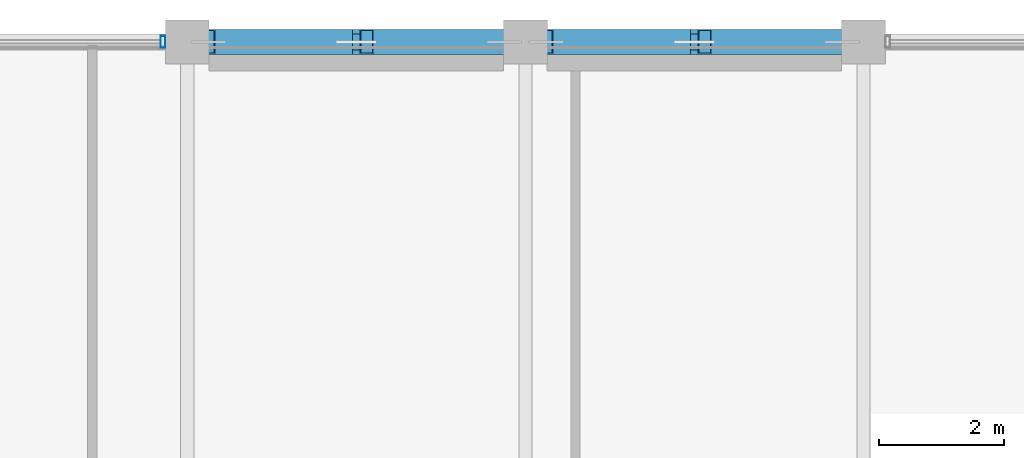
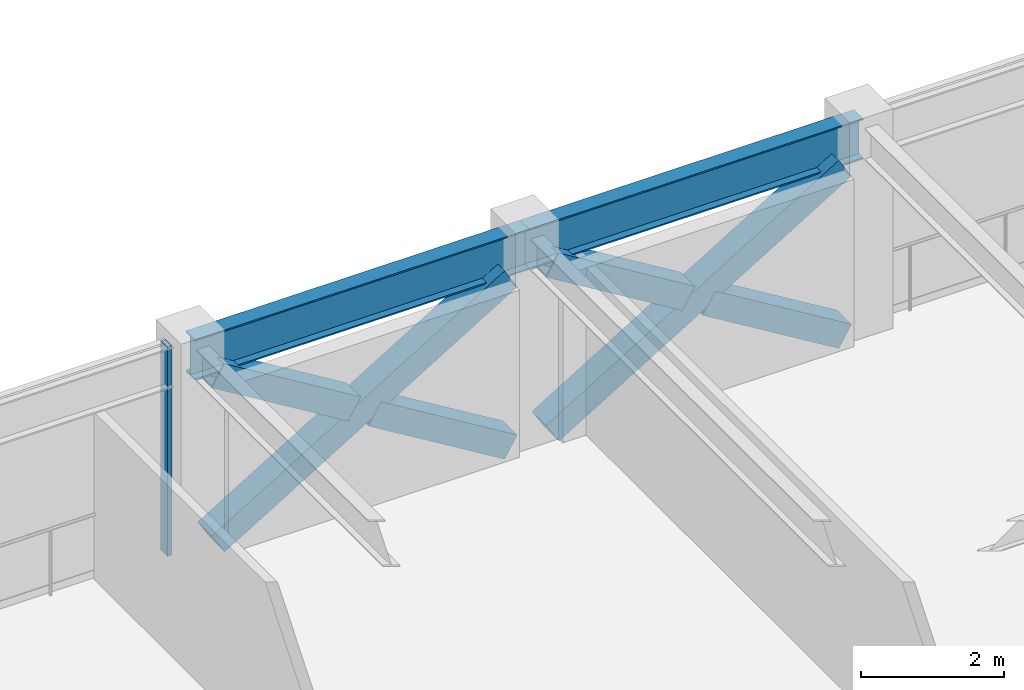
# One storey, part 19 of 34: 7 members, 2 beams, 1 element without a shape of its own.
"""IFC4 building model written with IfcOpenShell, lengths in metres."""

from ifc_helpers import new_model, si_unit, direction, frame, origin, origin_2d, place, context, subcontext, project, spatial, hollow_rectangle, i_section, extrude, material, layer, layer_set, material_profile, profile_set, type_object, element, aggregate, save


model = new_model("IFC4")

# Units and contexts
model_context = context("Model", 3, precision=1e-05, world=origin(), true_north=direction((0.0, 1.0)))
body_context = subcontext(model_context, "Body", "Model", "MODEL_VIEW")
ifc_project = project(units=[si_unit("LENGTHUNIT", "METRE"), si_unit("AREAUNIT", "SQUARE_METRE"), si_unit("VOLUMEUNIT", "CUBIC_METRE"), si_unit("PLANEANGLEUNIT", "RADIAN"), si_unit("MASSUNIT", "GRAM", prefix="KILO")], contexts=[model_context])

# Site, building, storey
site_placement = place(None, origin())
site = spatial("IfcSite", under=ifc_project, at=site_placement, CompositionType="ELEMENT")
building_placement = place(site_placement, origin())
building = spatial("IfcBuilding", under=site, at=building_placement, Name="Surkhivell Harbour Commons", CompositionType="ELEMENT")
storey_placement = place(building_placement, frame((0.0, 0.0, 258.75)))
storey = spatial("IfcBuildingStorey", under=building, at=storey_placement, Name="L67", CompositionType="ELEMENT", Elevation=258.75)

# Beams
ifc_material_1 = material(Name="Steel S355", Category="steel")
ifc_material_profile_1 = material_profile(ifc_material_1, i_section(OverallWidth=0.256103515625, OverallDepth=0.693115234375, WebThickness=0.014404296875, FlangeThickness=0.023681640625, at=origin_2d()), Name="UB686x254x170")
ifc_profile_set_1 = profile_set([ifc_material_profile_1], Name="Steel S355")
beam_type = type_object("IfcBeamType", Name="BM-SPN-686", PredefinedType="SPANDREL", material=ifc_profile_set_1)
for number, where, z_axis, x_axis, name in (
    (1, (-5.39990234375, 25.89990234375, 3.223388671875), (1.0, 0.0, 0.0), (0.0, 1.0, 0.0), "L67 Tube Spandrel (-5.4,25.9)"),
    (2, (0.0, 25.89990234375, 3.223388671875), (1.0, 0.0, 0.0), (0.0, 1.0, 0.0), "L67 Tube Spandrel (-0.0,25.9)"),
):
    element("IfcBeam", number, at=place(storey_placement, frame(where, z_axis=z_axis, x_axis=x_axis)), inside=storey, type_object=beam_type, Name=name, PredefinedType="SPANDREL", context=body_context, shape_type="SweptSolid", body=[
        extrude(i_section(OverallWidth=0.256103515625, OverallDepth=0.693115234375, WebThickness=0.014404296875, FlangeThickness=0.023681640625, at=origin_2d()), origin(), (0.0, 0.0, 1.0), 5.39990234375),
    ])

# Curtain wall, member
ifc_material_2 = material(Name="Anodised pale-metal aluminium and insulated glazing", Category="aluminium")
ifc_layer = layer(ifc_material_2, 0.175048828125)
ifc_layer_set = layer_set([ifc_layer], Name="Anodised pale-metal aluminium and insulated glazing")
curtain_wall_type = type_object("IfcCurtainWallType", Name="CW-SYS-Z4", PredefinedType="NOTDEFINED", material=ifc_layer_set)
curtain_wall_placement = place(storey_placement, origin())
curtain_wall = element("IfcCurtainWall", 3, at=curtain_wall_placement, inside=storey, type_object=curtain_wall_type, Name="L67 Curtain Wall CW-L67-E07S2", PredefinedType="NOTDEFINED")
ifc_material_3 = material(Name="Anodised pale-metal aluminium alloy 6063-T6", Category="aluminium")
ifc_material_profile_2 = material_profile(ifc_material_3, hollow_rectangle(XDim=0.074951171875, YDim=0.18994140625, WallThickness=0.00390625, at=origin_2d()), Name="ALU-MULL-75x190")
ifc_profile_set_2 = profile_set([ifc_material_profile_2], Name="Anodised pale-metal aluminium alloy 6063-T6")
member_type_1 = type_object("IfcMemberType", Name="CWM-190", PredefinedType="MULLION", material=ifc_profile_set_2)
member_1_placement = place(storey_placement, frame((-5.78955078125, 25.89990234375, 0.0), z_axis=(0.0, 0.0, 1.0), x_axis=(-1.0, 0.0, 0.0)))
member_1 = element("IfcMember", 4, at=member_1_placement, type_object=member_type_1, Name="CW-Z4 mullion 1", PredefinedType="MULLION", context=body_context, shape_type="SweptSolid", body=[
    extrude(hollow_rectangle(XDim=0.074951171875, YDim=0.18994140625, WallThickness=0.00390625, at=origin_2d()), origin(), (0.0, 0.0, 1.0), 3.570068359375),
])
aggregate(curtain_wall, [member_1])

# Members
ifc_material_4 = material(Name="Steel S460", Category="steel")
ifc_material_profile_3 = material_profile(ifc_material_4, hollow_rectangle(XDim=0.39990234375, YDim=0.39990234375, WallThickness=0.02001953125, at=origin_2d()), Name="SHS400x400x20")
ifc_profile_set_3 = profile_set([ifc_material_profile_3], Name="Steel S460")
member_type_2 = type_object("IfcMemberType", Name="MEM-BRC-SHS400", PredefinedType="BRACE", material=ifc_profile_set_3)
member_2_placement = place(storey_placement, frame((-5.06494140625, 25.89990234375, 0.008056640625), z_axis=(0.854685454322, 0.0, 0.519146197299), x_axis=(0.0, 1.0, 0.0)))
element("IfcMember", 5, at=member_2_placement, inside=storey, type_object=member_type_2, Name="L67 Perimeter Mega-Brace MB- 01", PredefinedType="BRACE", context=body_context, shape_type="SweptSolid", body=[
    extrude(hollow_rectangle(XDim=0.39990234375, YDim=0.39990234375, WallThickness=0.02001953125, at=origin_2d()), origin(), (0.0, 0.0, 1.0), 5.5341796875),
])
member_3_placement = place(storey_placement, frame((-0.3349609375, 25.89990234375, 0.008056640625), z_axis=(-0.854719912157, 0.0, 0.519089464122), x_axis=(0.0, -1.0, 0.0)))
element("IfcMember", 6, at=member_3_placement, inside=storey, type_object=member_type_2, Name="L67 Perimeter Mega-Brace MB- 02", PredefinedType="BRACE", context=body_context, shape_type="SweptSolid", body=[
    extrude(hollow_rectangle(XDim=0.39990234375, YDim=0.39990234375, WallThickness=0.02001953125, at=origin_2d()), origin(), (0.0, 0.0, 1.0), 2.574951171875),
])
member_4_placement = place(storey_placement, frame((-2.864013671875, 25.89990234375, 1.544189453125), z_axis=(-0.854677846108, 0.0, 0.519158722716), x_axis=(0.0, -1.0, 0.0)))
element("IfcMember", 7, at=member_4_placement, inside=storey, type_object=member_type_2, Name="L67 Perimeter Mega-Brace MB- 03", PredefinedType="BRACE", context=body_context, shape_type="SweptSolid", body=[
    extrude(hollow_rectangle(XDim=0.39990234375, YDim=0.39990234375, WallThickness=0.02001953125, at=origin_2d()), origin(), (0.0, 0.0, 1.0), 2.5751953125),
])
member_5_placement = place(storey_placement, frame((0.3349609375, 25.89990234375, 0.008056640625), z_axis=(0.854685454322, 0.0, 0.519146197299), x_axis=(0.0, 1.0, 0.0)))
element("IfcMember", 8, at=member_5_placement, inside=storey, type_object=member_type_2, Name="L67 Perimeter Mega-Brace MB- 04", PredefinedType="BRACE", context=body_context, shape_type="SweptSolid", body=[
    extrude(hollow_rectangle(XDim=0.39990234375, YDim=0.39990234375, WallThickness=0.02001953125, at=origin_2d()), origin(), (0.0, 0.0, 1.0), 5.5341796875),
])
member_6_placement = place(storey_placement, frame((5.06494140625, 25.89990234375, 0.008056640625), z_axis=(-0.854719912157, 0.0, 0.519089464122), x_axis=(0.0, -1.0, 0.0)))
element("IfcMember", 9, at=member_6_placement, inside=storey, type_object=member_type_2, Name="L67 Perimeter Mega-Brace MB- 05", PredefinedType="BRACE", context=body_context, shape_type="SweptSolid", body=[
    extrude(hollow_rectangle(XDim=0.39990234375, YDim=0.39990234375, WallThickness=0.02001953125, at=origin_2d()), origin(), (0.0, 0.0, 1.0), 2.574951171875),
])
member_7_placement = place(storey_placement, frame((2.535888671875, 25.89990234375, 1.544189453125), z_axis=(-0.854677846108, 0.0, 0.519158722716), x_axis=(0.0, -1.0, 0.0)))
element("IfcMember", 10, at=member_7_placement, inside=storey, type_object=member_type_2, Name="L67 Perimeter Mega-Brace MB- 06", PredefinedType="BRACE", context=body_context, shape_type="SweptSolid", body=[
    extrude(hollow_rectangle(XDim=0.39990234375, YDim=0.39990234375, WallThickness=0.02001953125, at=origin_2d()), origin(), (0.0, 0.0, 1.0), 2.5751953125),
])

save(model, "model.ifc")
